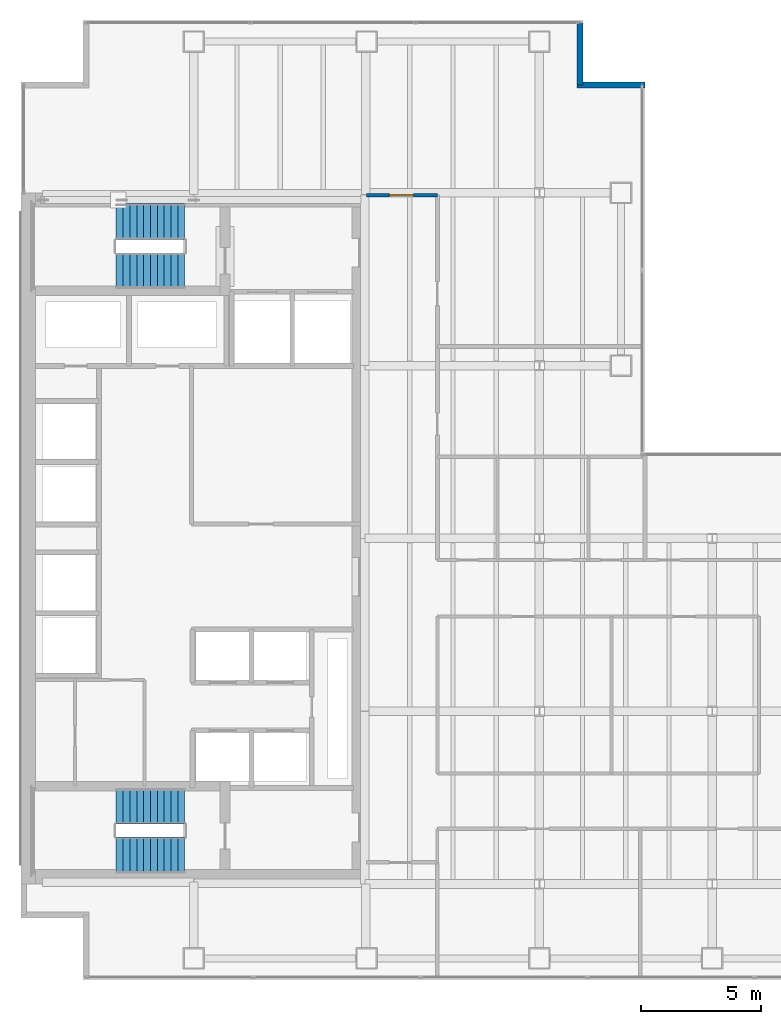
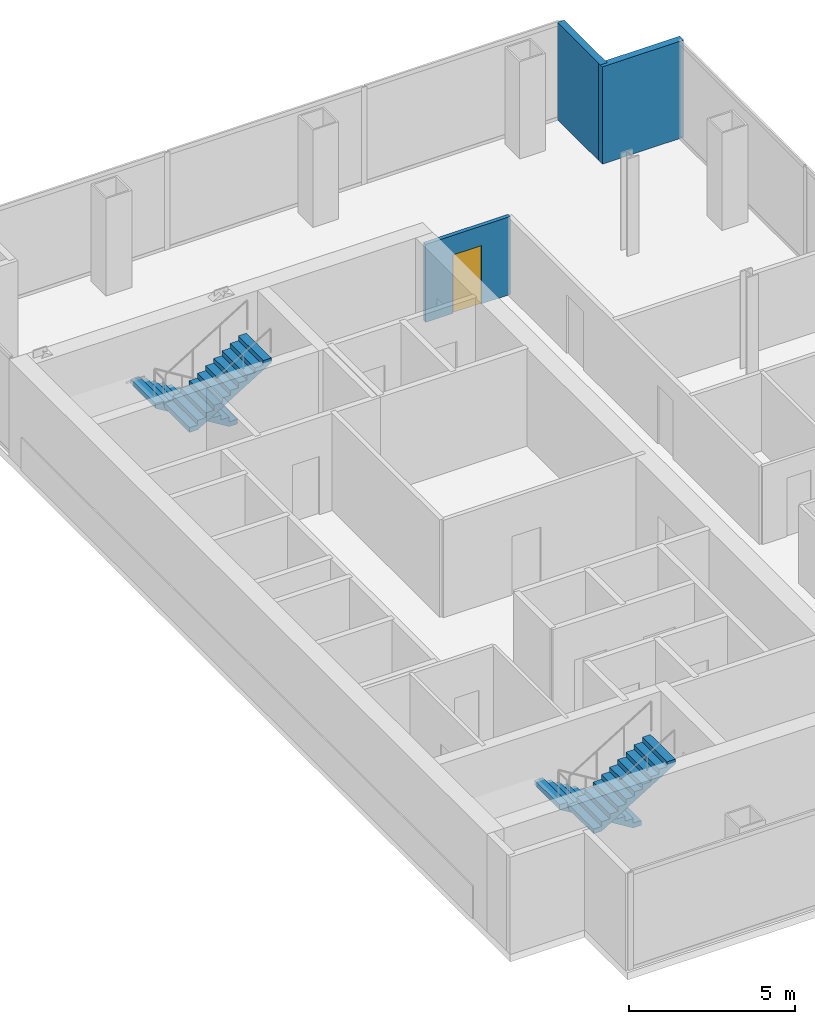
# One storey, part 22 of 23: 4 stair flights, 3 walls, 1 door, 1 opening, 2 elements without a shape of their own.
"""IFC4 building model written with IfcOpenShell, lengths in metres."""

from ifc_helpers import new_model, si_unit, direction, frame, frame_2d, origin, place, context, subcontext, project, spatial, polyline, rectangle, outline, extrude, material, layer, layer_set, type_object, element, fill, aggregate, save


model = new_model("IFC4")

# Units and contexts
model_context = context("Model", 3, precision=1e-05, world=origin(), true_north=direction((0.0, 1.0)))
body_context = subcontext(model_context, "Body", "Model", "MODEL_VIEW")
ifc_project = project(units=[si_unit("LENGTHUNIT", "METRE"), si_unit("AREAUNIT", "SQUARE_METRE"), si_unit("VOLUMEUNIT", "CUBIC_METRE"), si_unit("PLANEANGLEUNIT", "RADIAN"), si_unit("MASSUNIT", "GRAM", prefix="KILO")], contexts=[model_context])

# Site, building, storey
site_placement = place(None, origin())
site = spatial("IfcSite", under=ifc_project, at=site_placement, CompositionType="ELEMENT")
building_placement = place(site_placement, origin())
building = spatial("IfcBuilding", under=site, at=building_placement, Name="Cobrela Telecom Tower", CompositionType="ELEMENT")
storey_placement = place(building_placement, frame((0.0, 0.0, 140.699951171875)))
storey = spatial("IfcBuildingStorey", under=building, at=storey_placement, Name="L35", CompositionType="ELEMENT", Elevation=140.699951171875)

# Walls
ifc_material_1 = material(Name="Concrete C40/50", Category="concrete")
ifc_layer_1 = layer(ifc_material_1, 0.239990234375)
ifc_layer_set_1 = layer_set([ifc_layer_1], Name="Concrete C40/50")
wall_type_1 = type_object("IfcWallType", Name="WALL-EXT-300", PredefinedType="STANDARD", material=ifc_layer_set_1)
wall_1_placement = place(storey_placement, frame((23.2900390625, 43.080078125, 0.0), z_axis=(0.0, 0.0, 1.0), x_axis=(0.0, -1.0, 0.0)))
element("IfcWall", 1, at=wall_1_placement, inside=storey, type_object=wall_type_1, Name="L35 Insulated Facade Wall 08", PredefinedType="STANDARD", context=body_context, shape_type="SweptSolid", body=[
    extrude(rectangle(XDim=2.590087890625, YDim=0.239990234375, at=frame_2d((1.294921875, 0.0))), origin(), (0.0, 0.0, 1.0), 3.580078125),
])
wall_2_placement = place(storey_placement, frame((23.169921875, 40.489990234375, 0.0), z_axis=(0.0, 0.0, 1.0), x_axis=(1.0, 0.0, 0.0)))
element("IfcWall", 2, at=wall_2_placement, inside=storey, type_object=wall_type_1, Name="L35 Insulated Facade Wall 09", PredefinedType="STANDARD", context=body_context, shape_type="SweptSolid", body=[
    extrude(rectangle(XDim=2.830078125, YDim=0.239990234375, at=frame_2d((1.4150390625, 0.0))), origin(), (0.0, 0.0, 1.0), 3.580078125),
])

# Wall, opening, door
ifc_material_2 = material(Name="Fire-Rated Gypsum Plasterboard")
ifc_layer_2 = layer(ifc_material_2, 0.135009765625)
ifc_layer_set_2 = layer_set([ifc_layer_2], Name="Fire-Rated Gypsum Plasterboard")
wall_type_2 = type_object("IfcWallType", Name="WALL-PART-135", PredefinedType="PARTITIONING", material=ifc_layer_set_2)
wall_3_placement = place(storey_placement, frame((14.39990234375, 35.89990234375, 0.0), z_axis=(0.0, 0.0, 1.0), x_axis=(1.0, 0.0, 0.0)))
wall_3 = element("IfcWall", 3, at=wall_3_placement, inside=storey, type_object=wall_type_2, Name="L35 Interior Partition W-UW-N0", PredefinedType="PARTITIONING", context=body_context, shape_type="SweptSolid", body=[
    extrude(rectangle(XDim=2.9501953125, YDim=0.135009765625, at=frame_2d((1.47509765625, 0.0))), origin(), (0.0, 0.0, 1.0), 2.869140625),
])
opening_placement = place(wall_3_placement, frame((0.949951171875, 0.0, 0.0)))
opening = element("IfcOpeningElement", 4, at=opening_placement, cuts=wall_3, Name="Opening DR-31", PredefinedType="OPENING", context=body_context, shape_type="SweptSolid", body=[
    extrude(rectangle(XDim=1.0, YDim=2.14990234375, at=frame_2d((0.5, 1.074951171875))), frame((0.0, 0.07958984375, 0.0), z_axis=(0.0, -1.0, 0.0), x_axis=(1.0, 0.0, 0.0)), (0.0, 0.0, 1.0), 0.158935546875),
])
ifc_material_3 = material(Name="Solid Engineered Oak Timber", Category="wood")
door_type = type_object("IfcDoorType", Name="DOOR-INT-1000", OperationType="SINGLE_SWING_LEFT", PredefinedType="DOOR", material=ifc_material_3)
door_placement = place(opening_placement, origin())
door = element("IfcDoor", 5, at=door_placement, inside=storey, type_object=door_type, Name="L35 Door DR-31", OperationType="SINGLE_SWING_LEFT", OverallHeight=2.14990234375, OverallWidth=1.0, PredefinedType="DOOR", context=body_context, shape_type="SweptSolid", body=[
    extrude(rectangle(XDim=1.0, YDim=2.14990234375, at=frame_2d((0.5, 1.074951171875))), frame((0.0, 0.02490234375, 0.0), z_axis=(0.0, -1.0, 0.0), x_axis=(1.0, 0.0, 0.0)), (0.0, 0.0, 1.0), 0.050048828125),
])
fill(opening, door)

# Stair, stair flights
stair_type = type_object("IfcStairType", Name="STAIR-CORE", PredefinedType="HALF_TURN_STAIR", material=ifc_material_1)
stair_1_placement = place(storey_placement, origin())
stair_1 = element("IfcStair", 6, at=stair_1_placement, inside=storey, type_object=stair_type, Name="L35 Smokeproof Exit Stair ST1", PredefinedType="HALF_TURN_STAIR")
stair_flight_type = type_object("IfcStairFlightType", Name="FLIGHT-CORE", PredefinedType="STRAIGHT", material=ifc_material_1)
stair_flight_1_placement = place(storey_placement, frame((6.820068359375, 34.800048828125, 0.0), z_axis=(0.0, 0.0, 1.0), x_axis=(-1.0, 0.0, 0.0)))
stair_flight_1 = element("IfcStairFlight", 7, at=stair_flight_1_placement, type_object=stair_flight_type, Name="ST1 flight 1", NumberOfRisers=11, NumberOfTreads=10, PredefinedType="STRAIGHT", RiserHeight=0.175, TreadLength=0.285, context=body_context, shape_type="SweptSolid", body=[
    extrude(outline(polyline([(0.0, 0.0), (0.0, 0.175048828125), (0.284912109375, 0.175048828125), (0.284912109375, 0.35009765625), (0.570068359375, 0.35009765625), (0.570068359375, 0.52490234375), (0.85498046875, 0.52490234375), (0.85498046875, 0.699951171875), (1.139892578125, 0.699951171875), (1.139892578125, 0.875), (1.425048828125, 0.875), (1.425048828125, 1.050048828125), (1.7099609375, 1.050048828125), (1.7099609375, 1.22509765625), (1.9951171875, 1.22509765625), (1.9951171875, 1.39990234375), (2.280029296875, 1.39990234375), (2.280029296875, 1.574951171875), (2.56494140625, 1.574951171875), (2.56494140625, 1.75), (2.85009765625, 1.75), (2.85009765625, 1.925048828125), (2.85009765625, 1.573974609375), (0.286376953125, 0.0), (0.0, 0.0)])), frame((0.0, 0.75, 0.0), z_axis=(0.0, -1.0, 0.0), x_axis=(1.0, 0.0, 0.0)), (0.0, 0.0, 1.0), 1.5),
])
stair_flight_2_placement = place(storey_placement, frame((3.969970703125, 32.75, 1.925048828125), z_axis=(0.0, 0.0, 1.0), x_axis=(1.0, 0.0, 0.0)))
stair_flight_2 = element("IfcStairFlight", 8, at=stair_flight_2_placement, type_object=stair_flight_type, Name="ST1 flight 2", NumberOfRisers=11, NumberOfTreads=10, PredefinedType="STRAIGHT", RiserHeight=0.175, TreadLength=0.285, context=body_context, shape_type="SweptSolid", body=[
    extrude(outline(polyline([(0.0, 0.0), (0.0, 0.175048828125), (0.284912109375, 0.175048828125), (0.284912109375, 0.35009765625), (0.570068359375, 0.35009765625), (0.570068359375, 0.52490234375), (0.85498046875, 0.52490234375), (0.85498046875, 0.699951171875), (1.139892578125, 0.699951171875), (1.139892578125, 0.875), (1.425048828125, 0.875), (1.425048828125, 1.050048828125), (1.7099609375, 1.050048828125), (1.7099609375, 1.22509765625), (1.9951171875, 1.22509765625), (1.9951171875, 1.39990234375), (2.280029296875, 1.39990234375), (2.280029296875, 1.574951171875), (2.56494140625, 1.574951171875), (2.56494140625, 1.75), (2.85009765625, 1.75), (2.85009765625, 1.925048828125), (2.85009765625, 1.573974609375), (0.286376953125, 0.0), (0.0, 0.0)])), frame((0.0, 0.75, 0.0), z_axis=(0.0, -1.0, 0.0), x_axis=(1.0, 0.0, 0.0)), (0.0, 0.0, 1.0), 1.5),
])
aggregate(stair_1, [stair_flight_1, stair_flight_2])

stair_2_placement = place(storey_placement, origin())
stair_2 = element("IfcStair", 9, at=stair_2_placement, inside=storey, type_object=stair_type, Name="L35 Smokeproof Exit Stair ST2", PredefinedType="HALF_TURN_STAIR")
stair_flight_3_placement = place(storey_placement, frame((6.820068359375, 10.449951171875, 0.0), z_axis=(0.0, 0.0, 1.0), x_axis=(-1.0, 0.0, 0.0)))
stair_flight_3 = element("IfcStairFlight", 10, at=stair_flight_3_placement, type_object=stair_flight_type, Name="ST2 flight 1", NumberOfRisers=11, NumberOfTreads=10, PredefinedType="STRAIGHT", RiserHeight=0.175, TreadLength=0.285, context=body_context, shape_type="SweptSolid", body=[
    extrude(outline(polyline([(0.0, 0.0), (0.0, 0.175048828125), (0.284912109375, 0.175048828125), (0.284912109375, 0.35009765625), (0.570068359375, 0.35009765625), (0.570068359375, 0.52490234375), (0.85498046875, 0.52490234375), (0.85498046875, 0.699951171875), (1.139892578125, 0.699951171875), (1.139892578125, 0.875), (1.425048828125, 0.875), (1.425048828125, 1.050048828125), (1.7099609375, 1.050048828125), (1.7099609375, 1.22509765625), (1.9951171875, 1.22509765625), (1.9951171875, 1.39990234375), (2.280029296875, 1.39990234375), (2.280029296875, 1.574951171875), (2.56494140625, 1.574951171875), (2.56494140625, 1.75), (2.85009765625, 1.75), (2.85009765625, 1.925048828125), (2.85009765625, 1.573974609375), (0.286376953125, 0.0), (0.0, 0.0)])), frame((0.0, 0.75, 0.0), z_axis=(0.0, -1.0, 0.0), x_axis=(1.0, 0.0, 0.0)), (0.0, 0.0, 1.0), 1.5),
])
stair_flight_4_placement = place(storey_placement, frame((3.969970703125, 8.39990234375, 1.925048828125), z_axis=(0.0, 0.0, 1.0), x_axis=(1.0, 0.0, 0.0)))
stair_flight_4 = element("IfcStairFlight", 11, at=stair_flight_4_placement, type_object=stair_flight_type, Name="ST2 flight 2", NumberOfRisers=11, NumberOfTreads=10, PredefinedType="STRAIGHT", RiserHeight=0.175, TreadLength=0.285, context=body_context, shape_type="SweptSolid", body=[
    extrude(outline(polyline([(0.0, 0.0), (0.0, 0.175048828125), (0.284912109375, 0.175048828125), (0.284912109375, 0.35009765625), (0.570068359375, 0.35009765625), (0.570068359375, 0.52490234375), (0.85498046875, 0.52490234375), (0.85498046875, 0.699951171875), (1.139892578125, 0.699951171875), (1.139892578125, 0.875), (1.425048828125, 0.875), (1.425048828125, 1.050048828125), (1.7099609375, 1.050048828125), (1.7099609375, 1.22509765625), (1.9951171875, 1.22509765625), (1.9951171875, 1.39990234375), (2.280029296875, 1.39990234375), (2.280029296875, 1.574951171875), (2.56494140625, 1.574951171875), (2.56494140625, 1.75), (2.85009765625, 1.75), (2.85009765625, 1.925048828125), (2.85009765625, 1.573974609375), (0.286376953125, 0.0), (0.0, 0.0)])), frame((0.0, 0.75, 0.0), z_axis=(0.0, -1.0, 0.0), x_axis=(1.0, 0.0, 0.0)), (0.0, 0.0, 1.0), 1.5),
])
aggregate(stair_2, [stair_flight_3, stair_flight_4])

save(model, "model.ifc")
